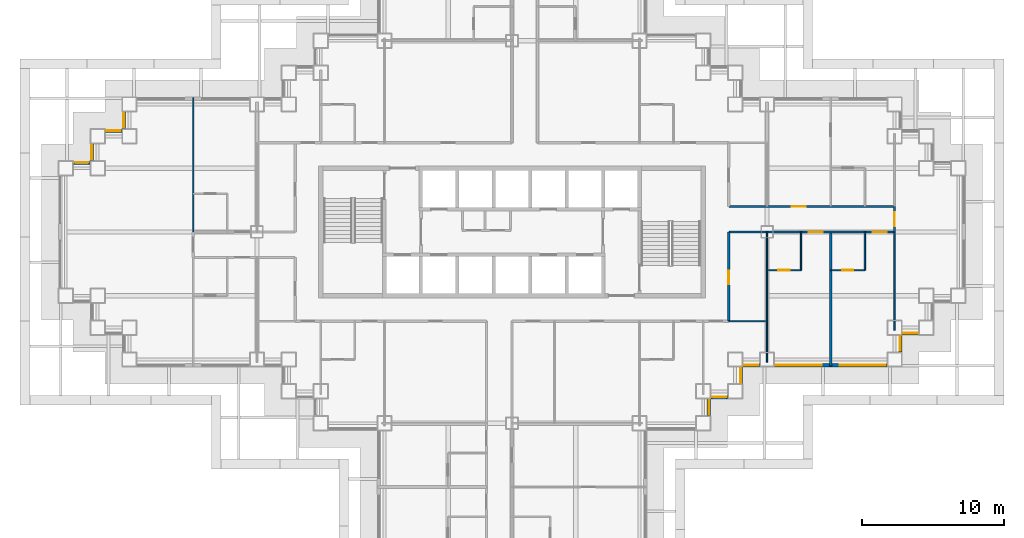
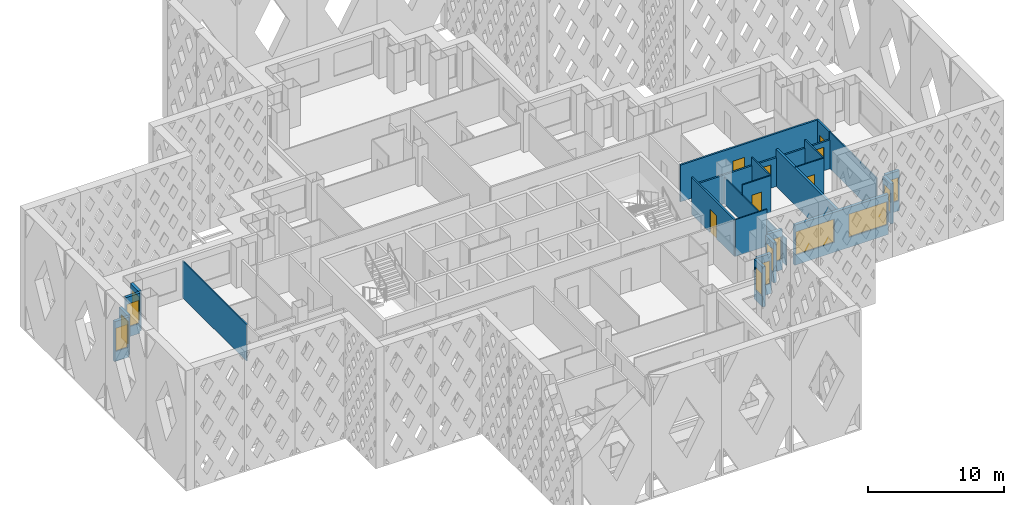
# One storey, part 6 of 19: 24 walls, 12 windows, 7 doors, 19 openings.
"""IFC4 building model written with IfcOpenShell, lengths in metres."""

from ifc_helpers import new_model, si_unit, direction, frame, frame_2d, origin, place, context, subcontext, project, spatial, rectangle, extrude, material, layer, layer_set, type_object, element, fill, save


model = new_model("IFC4")

# Units and contexts
model_context = context("Model", 3, precision=1e-05, world=origin(), true_north=direction((0.0, 1.0)))
body_context = subcontext(model_context, "Body", "Model", "MODEL_VIEW")
ifc_project = project(units=[si_unit("LENGTHUNIT", "METRE"), si_unit("AREAUNIT", "SQUARE_METRE"), si_unit("VOLUMEUNIT", "CUBIC_METRE"), si_unit("PLANEANGLEUNIT", "RADIAN"), si_unit("MASSUNIT", "GRAM", prefix="KILO")], contexts=[model_context])

# Site, building, storey
site_placement = place(None, origin())
site = spatial("IfcSite", under=ifc_project, at=site_placement, CompositionType="ELEMENT")
building_placement = place(site_placement, origin())
building = spatial("IfcBuilding", under=site, at=building_placement, Name="Caravel Reach Hotel and Residences", CompositionType="ELEMENT")
storey_placement = place(building_placement, frame((0.0, 0.0, 52.800048828125)))
storey = spatial("IfcBuildingStorey", under=building, at=storey_placement, Name="L11", CompositionType="ELEMENT", Elevation=52.800048828125)

# Wall, opening, door
ifc_material_1 = material(Name="Gypsum board on steel stud", Category="steel")
ifc_layer_1 = layer(ifc_material_1, 0.10009765625)
ifc_layer_set_1 = layer_set([ifc_layer_1], Name="Bathroom pod wall 100 mm")
wall_type_1 = type_object("IfcWallType", Name="Bathroom pod wall 100 mm", PredefinedType="PARTITIONING", material=ifc_layer_set_1)
wall_1_placement = place(storey_placement, frame((49.5, 24.300048828125, 0.0), z_axis=(0.0, 0.0, 1.0), x_axis=(1.0, 0.0, 0.0)))
wall_1 = element("IfcWall", 1, at=wall_1_placement, inside=storey, type_object=wall_type_1, Name="L11 wall w078", PredefinedType="PARTITIONING", context=body_context, shape_type="SweptSolid", body=[
    extrude(rectangle(XDim=2.39990234375, YDim=0.10009765625, at=frame_2d((1.199951171875, 0.0))), origin(), (0.0, 0.0, 1.0), 3.300048828125),
])
opening_1_placement = place(wall_1_placement, frame((0.800048828125, 0.0, 0.0)))
opening_1 = element("IfcOpeningElement", 2, at=opening_1_placement, cuts=wall_1, Name="Opening D11-021", PredefinedType="OPENING", context=body_context, shape_type="SweptSolid", body=[
    extrude(rectangle(XDim=0.800048828125, YDim=2.10009765625, at=frame_2d((0.39990234375, 1.050048828125))), frame((0.0, 0.06005859375, 0.0), z_axis=(0.0, -1.0, 0.0), x_axis=(1.0, 0.0, 0.0)), (0.0, 0.0, 1.0), 0.1201171875),
])
ifc_material_2 = material(Name="Timber and steel door leaf", Category="steel")
door_type_1 = type_object("IfcDoorType", Name="Bathroom door 800 x 2100", OperationType="SINGLE_SWING_LEFT", PredefinedType="DOOR", material=ifc_material_2)
door_1_placement = place(opening_1_placement, origin())
door_1 = element("IfcDoor", 3, at=door_1_placement, inside=storey, type_object=door_type_1, Name="door D11-021", OperationType="SINGLE_SWING_RIGHT", OverallHeight=2.10009765625, OverallWidth=0.800048828125, PredefinedType="DOOR", context=body_context, shape_type="SweptSolid", body=[
    extrude(rectangle(XDim=0.800048828125, YDim=2.10009765625, at=frame_2d((0.39990234375, 1.050048828125))), frame((0.0, 0.02490234375, 0.0), z_axis=(0.0, -1.0, 0.0), x_axis=(1.0, 0.0, 0.0)), (0.0, 0.0, 1.0), 0.050048828125),
])
fill(opening_1, door_1)

wall_2_placement = place(storey_placement, frame((54.0, 24.300048828125, 0.0), z_axis=(0.0, 0.0, 1.0), x_axis=(1.0, 0.0, 0.0)))
wall_2 = element("IfcWall", 4, at=wall_2_placement, inside=storey, type_object=wall_type_1, Name="L11 wall w079", PredefinedType="PARTITIONING", context=body_context, shape_type="SweptSolid", body=[
    extrude(rectangle(XDim=2.39990234375, YDim=0.10009765625, at=frame_2d((1.199951171875, 0.0))), origin(), (0.0, 0.0, 1.0), 3.300048828125),
])
opening_2_placement = place(wall_2_placement, frame((0.800048828125, 0.0, 0.0)))
opening_2 = element("IfcOpeningElement", 5, at=opening_2_placement, cuts=wall_2, Name="Opening D11-023", PredefinedType="OPENING", context=body_context, shape_type="SweptSolid", body=[
    extrude(rectangle(XDim=0.800048828125, YDim=2.10009765625, at=frame_2d((0.39990234375, 1.050048828125))), frame((0.0, 0.06005859375, 0.0), z_axis=(0.0, -1.0, 0.0), x_axis=(1.0, 0.0, 0.0)), (0.0, 0.0, 1.0), 0.1201171875),
])
door_2_placement = place(opening_2_placement, origin())
door_2 = element("IfcDoor", 6, at=door_2_placement, inside=storey, type_object=door_type_1, Name="door D11-023", OperationType="SINGLE_SWING_LEFT", OverallHeight=2.10009765625, OverallWidth=0.800048828125, PredefinedType="DOOR", context=body_context, shape_type="SweptSolid", body=[
    extrude(rectangle(XDim=0.800048828125, YDim=2.10009765625, at=frame_2d((0.39990234375, 1.050048828125))), frame((0.0, 0.02490234375, 0.0), z_axis=(0.0, -1.0, 0.0), x_axis=(1.0, 0.0, 0.0)), (0.0, 0.0, 1.0), 0.050048828125),
])
fill(opening_2, door_2)

# Walls
for number, where, z_axis, x_axis, name in (
    (7, (51.89990234375, 24.300048828125, 0.0), (0.0, 0.0, 1.0), (0.0, 1.0, 0.0), "L11 wall w099"),
    (8, (56.39990234375, 24.300048828125, 0.0), (0.0, 0.0, 1.0), (0.0, 1.0, 0.0), "L11 wall w100"),
):
    element("IfcWall", number, at=place(storey_placement, frame(where, z_axis=z_axis, x_axis=x_axis)), inside=storey, type_object=wall_type_1, Name=name, PredefinedType="PARTITIONING", context=body_context, shape_type="SweptSolid", body=[
        extrude(rectangle(XDim=2.699951171875, YDim=0.10009765625, at=frame_2d((1.35009765625, 0.0))), origin(), (0.0, 0.0, 1.0), 3.300048828125),
    ])

# Wall, openings, doors
ifc_material_3 = material(Name="Gypsum board on steel stud, fire-rated", Category="steel")
ifc_layer_2 = layer(ifc_material_3, 0.14990234375)
ifc_layer_set_2 = layer_set([ifc_layer_2], Name="Corridor wall 150 mm EI 60")
wall_type_2 = type_object("IfcWallType", Name="Corridor wall 150 mm EI 60", PredefinedType="PARTITIONING", material=ifc_layer_set_2)
wall_3_placement = place(storey_placement, frame((46.800048828125, 27.0, 0.0), z_axis=(0.0, 0.0, 1.0), x_axis=(1.0, 0.0, 0.0)))
wall_3 = element("IfcWall", 9, at=wall_3_placement, inside=storey, type_object=wall_type_2, Name="L11 wall w013", PredefinedType="PARTITIONING", context=body_context, shape_type="SweptSolid", body=[
    extrude(rectangle(XDim=11.699951171875, YDim=0.14990234375, at=frame_2d((5.85009765625, 0.0))), origin(), (0.0, 0.0, 1.0), 2.579833984375),
])
opening_3_placement = place(wall_3_placement, frame((5.64990234375, 0.0, 0.0)))
opening_3 = element("IfcOpeningElement", 10, at=opening_3_placement, cuts=wall_3, Name="Opening D11-020", PredefinedType="OPENING", context=body_context, shape_type="SweptSolid", body=[
    extrude(rectangle(XDim=1.0, YDim=2.10009765625, at=frame_2d((0.5, 1.050048828125))), frame((0.0, 0.0849609375, 0.0), z_axis=(0.0, -1.0, 0.0), x_axis=(1.0, 0.0, 0.0)), (0.0, 0.0, 1.0), 0.169921875),
])
opening_4_placement = place(wall_3_placement, frame((10.14990234375, 0.0, 0.0)))
opening_4 = element("IfcOpeningElement", 11, at=opening_4_placement, cuts=wall_3, Name="Opening D11-022", PredefinedType="OPENING", context=body_context, shape_type="SweptSolid", body=[
    extrude(rectangle(XDim=1.0, YDim=2.10009765625, at=frame_2d((0.5, 1.050048828125))), frame((0.0, 0.0849609375, 0.0), z_axis=(0.0, -1.0, 0.0), x_axis=(1.0, 0.0, 0.0)), (0.0, 0.0, 1.0), 0.169921875),
])
ifc_material_4 = material(Name="Steel fire door leaf", Category="steel")
door_type_2 = type_object("IfcDoorType", Name="Guest room door 1000 x 2100 EI 30", OperationType="SINGLE_SWING_LEFT", PredefinedType="DOOR", material=ifc_material_4)
door_3_placement = place(opening_3_placement, origin())
door_3 = element("IfcDoor", 12, at=door_3_placement, inside=storey, type_object=door_type_2, Name="door D11-020", OperationType="SINGLE_SWING_RIGHT", OverallHeight=2.10009765625, OverallWidth=1.0, PredefinedType="DOOR", context=body_context, shape_type="SweptSolid", body=[
    extrude(rectangle(XDim=1.0, YDim=2.10009765625, at=frame_2d((0.5, 1.050048828125))), frame((0.0, 0.02490234375, 0.0), z_axis=(0.0, -1.0, 0.0), x_axis=(1.0, 0.0, 0.0)), (0.0, 0.0, 1.0), 0.050048828125),
])
fill(opening_3, door_3)
door_4_placement = place(opening_4_placement, origin())
door_4 = element("IfcDoor", 13, at=door_4_placement, inside=storey, type_object=door_type_2, Name="door D11-022", OperationType="SINGLE_SWING_RIGHT", OverallHeight=2.10009765625, OverallWidth=1.0, PredefinedType="DOOR", context=body_context, shape_type="SweptSolid", body=[
    extrude(rectangle(XDim=1.0, YDim=2.10009765625, at=frame_2d((0.5, 1.050048828125))), frame((0.0, 0.02490234375, 0.0), z_axis=(0.0, -1.0, 0.0), x_axis=(1.0, 0.0, 0.0)), (0.0, 0.0, 1.0), 0.050048828125),
])
fill(opening_4, door_4)

# Wall, opening, door
wall_4_placement = place(storey_placement, frame((46.800048828125, 28.800048828125, 0.0), z_axis=(0.0, 0.0, 1.0), x_axis=(1.0, 0.0, 0.0)))
wall_4 = element("IfcWall", 14, at=wall_4_placement, inside=storey, type_object=wall_type_2, Name="L11 wall w015", PredefinedType="PARTITIONING", context=body_context, shape_type="SweptSolid", body=[
    extrude(rectangle(XDim=11.699951171875, YDim=0.14990234375, at=frame_2d((5.85009765625, 0.0))), origin(), (0.0, 0.0, 1.0), 3.300048828125),
])
opening_5_placement = place(wall_4_placement, frame((4.449951171875, 0.0, 0.0)))
opening_5 = element("IfcOpeningElement", 15, at=opening_5_placement, cuts=wall_4, Name="Opening D11-024", PredefinedType="OPENING", context=body_context, shape_type="SweptSolid", body=[
    extrude(rectangle(XDim=1.0, YDim=2.10009765625, at=frame_2d((0.5, 1.050048828125))), frame((0.0, 0.0849609375, 0.0), z_axis=(0.0, -1.0, 0.0), x_axis=(1.0, 0.0, 0.0)), (0.0, 0.0, 1.0), 0.169921875),
])
door_5_placement = place(opening_5_placement, origin())
door_5 = element("IfcDoor", 16, at=door_5_placement, inside=storey, type_object=door_type_2, Name="door D11-024", OperationType="SINGLE_SWING_LEFT", OverallHeight=2.10009765625, OverallWidth=1.0, PredefinedType="DOOR", context=body_context, shape_type="SweptSolid", body=[
    extrude(rectangle(XDim=1.0, YDim=2.10009765625, at=frame_2d((0.5, 1.050048828125))), frame((0.0, 0.02490234375, 0.0), z_axis=(0.0, -1.0, 0.0), x_axis=(1.0, 0.0, 0.0)), (0.0, 0.0, 1.0), 0.050048828125),
])
fill(opening_5, door_5)

wall_5_placement = place(storey_placement, frame((46.800048828125, 20.699951171875, 0.0), z_axis=(0.0, 0.0, 1.0), x_axis=(0.0, 1.0, 0.0)))
wall_5 = element("IfcWall", 17, at=wall_5_placement, inside=storey, type_object=wall_type_2, Name="L11 wall w037", PredefinedType="PARTITIONING", context=body_context, shape_type="SweptSolid", body=[
    extrude(rectangle(XDim=6.300048828125, YDim=0.14990234375, at=frame_2d((3.14990234375, 0.0))), origin(), (0.0, 0.0, 1.0), 3.300048828125),
])
opening_6_placement = place(wall_5_placement, frame((2.625, 0.0, 0.0)))
opening_6 = element("IfcOpeningElement", 18, at=opening_6_placement, cuts=wall_5, Name="Opening D11-060", PredefinedType="OPENING", context=body_context, shape_type="SweptSolid", body=[
    extrude(rectangle(XDim=0.949951171875, YDim=2.10009765625, at=frame_2d((0.47509765625, 1.050048828125))), frame((0.0, 0.0849609375, 0.0), z_axis=(0.0, -1.0, 0.0), x_axis=(1.0, 0.0, 0.0)), (0.0, 0.0, 1.0), 0.169921875),
])
ifc_material_5 = material(Name="Timber and steel door leaf", Category="steel")
door_type_3 = type_object("IfcDoorType", Name="Accessible WC door 950 x 2100", OperationType="SINGLE_SWING_LEFT", PredefinedType="DOOR", material=ifc_material_5)
door_6_placement = place(opening_6_placement, origin())
door_6 = element("IfcDoor", 19, at=door_6_placement, inside=storey, type_object=door_type_3, Name="door D11-060", OperationType="SINGLE_SWING_RIGHT", OverallHeight=2.10009765625, OverallWidth=0.949951171875, PredefinedType="DOOR", context=body_context, shape_type="SweptSolid", body=[
    extrude(rectangle(XDim=0.949951171875, YDim=2.10009765625, at=frame_2d((0.47509765625, 1.050048828125))), frame((0.0, 0.02490234375, 0.0), z_axis=(0.0, -1.0, 0.0), x_axis=(1.0, 0.0, 0.0)), (0.0, 0.0, 1.0), 0.050048828125),
])
fill(opening_6, door_6)

wall_6_placement = place(storey_placement, frame((58.5, 27.0, 0.0), z_axis=(0.0, 0.0, 1.0), x_axis=(0.0, 1.0, 0.0)))
wall_6 = element("IfcWall", 20, at=wall_6_placement, inside=storey, type_object=wall_type_2, Name="L11 wall w038", PredefinedType="PARTITIONING", context=body_context, shape_type="SweptSolid", body=[
    extrude(rectangle(XDim=1.800048828125, YDim=0.14990234375, at=frame_2d((0.89990234375, 0.0))), origin(), (0.0, 0.0, 1.0), 3.300048828125),
])
opening_7_placement = place(wall_6_placement, frame((0.39990234375, 0.0, 0.0)))
opening_7 = element("IfcOpeningElement", 21, at=opening_7_placement, cuts=wall_6, Name="Opening D11-039", PredefinedType="OPENING", context=body_context, shape_type="SweptSolid", body=[
    extrude(rectangle(XDim=1.0, YDim=2.10009765625, at=frame_2d((0.5, 1.050048828125))), frame((0.0, 0.0849609375, 0.0), z_axis=(0.0, -1.0, 0.0), x_axis=(1.0, 0.0, 0.0)), (0.0, 0.0, 1.0), 0.169921875),
])
door_7_placement = place(opening_7_placement, origin())
door_7 = element("IfcDoor", 22, at=door_7_placement, inside=storey, type_object=door_type_2, Name="door D11-039", OperationType="SINGLE_SWING_LEFT", OverallHeight=2.10009765625, OverallWidth=1.0, PredefinedType="DOOR", context=body_context, shape_type="SweptSolid", body=[
    extrude(rectangle(XDim=1.0, YDim=2.10009765625, at=frame_2d((0.5, 1.050048828125))), frame((0.0, 0.02490234375, 0.0), z_axis=(0.0, -1.0, 0.0), x_axis=(1.0, 0.0, 0.0)), (0.0, 0.0, 1.0), 0.050048828125),
])
fill(opening_7, door_7)

# Wall, opening, window
ifc_material_6 = material(Name="Insulated rainscreen wall, aluminium cladding", Category="aluminium")
ifc_layer_3 = layer(ifc_material_6, 0.25)
ifc_layer_set_3 = layer_set([ifc_layer_3], Name="EW1 Tower rainscreen wall")
wall_type_3 = type_object("IfcWallType", Name="EW1 Tower rainscreen wall", PredefinedType="SOLIDWALL", material=ifc_layer_set_3)
wall_7_placement = place(storey_placement, frame((45.39990234375, 14.02490234375, 0.0), z_axis=(0.0, 0.0, 1.0), x_axis=(0.0, 1.0, 0.0)))
wall_7 = element("IfcWall", 23, at=wall_7_placement, inside=storey, type_object=wall_type_3, Name="External wall L11 E12.1", PredefinedType="SOLIDWALL", context=body_context, shape_type="SweptSolid", body=[
    extrude(rectangle(XDim=1.2001953125, YDim=0.25, at=frame_2d((0.60009765625, 0.0))), origin(), (0.0, 0.0, 1.0), 3.599853515625),
])
opening_8_placement = place(wall_7_placement, frame((0.10009765625, 0.0, 0.89990234375)))
opening_8 = element("IfcOpeningElement", 24, at=opening_8_placement, cuts=wall_7, Name="Opening WN1", PredefinedType="OPENING", context=body_context, shape_type="SweptSolid", body=[
    extrude(rectangle(XDim=1.0, YDim=2.080078125, at=frame_2d((0.5, 1.0400390625))), frame((0.0, 0.135009765625, 0.0), z_axis=(0.0, -1.0, 0.0), x_axis=(1.0, 0.0, 0.0)), (0.0, 0.0, 1.0), 0.27001953125),
])
ifc_material_7 = material(Name="Dark low-e glazing in black aluminium frame", Category="aluminium")
window_type_1 = type_object("IfcWindowType", Name="Hotel suite corner window 1000 x 2080", PartitioningType="SINGLE_PANEL", PredefinedType="WINDOW", material=ifc_material_7)
window_1_placement = place(opening_8_placement, origin())
window_1 = element("IfcWindow", 25, at=window_1_placement, inside=storey, type_object=window_type_1, Name="Window L11 E12.1.1", OverallHeight=2.080078125, OverallWidth=1.0, PartitioningType="SINGLE_PANEL", PredefinedType="WINDOW", context=body_context, shape_type="SweptSolid", body=[
    extrude(rectangle(XDim=1.0, YDim=2.080078125, at=frame_2d((0.5, 1.0400390625))), frame((0.0, 0.030029296875, 0.0), z_axis=(0.0, -1.0, 0.0), x_axis=(1.0, 0.0, 0.0)), (0.0, 0.0, 1.0), 0.06005859375),
])
fill(opening_8, window_1)

wall_8_placement = place(storey_placement, frame((45.52490234375, 15.35009765625, 0.0), z_axis=(0.0, 0.0, 1.0), x_axis=(1.0, 0.0, 0.0)))
wall_8 = element("IfcWall", 26, at=wall_8_placement, inside=storey, type_object=wall_type_3, Name="External wall L11 S13.1", PredefinedType="SOLIDWALL", context=body_context, shape_type="SweptSolid", body=[
    extrude(rectangle(XDim=1.2001953125, YDim=0.25, at=frame_2d((0.60009765625, 0.0))), origin(), (0.0, 0.0, 1.0), 3.599853515625),
])
opening_9_placement = place(wall_8_placement, frame((0.10009765625, 0.0, 0.89990234375)))
opening_9 = element("IfcOpeningElement", 27, at=opening_9_placement, cuts=wall_8, Name="Opening WN1", PredefinedType="OPENING", context=body_context, shape_type="SweptSolid", body=[
    extrude(rectangle(XDim=1.0, YDim=2.080078125, at=frame_2d((0.5, 1.0400390625))), frame((0.0, 0.135009765625, 0.0), z_axis=(0.0, -1.0, 0.0), x_axis=(1.0, 0.0, 0.0)), (0.0, 0.0, 1.0), 0.27001953125),
])
window_2_placement = place(opening_9_placement, origin())
window_2 = element("IfcWindow", 28, at=window_2_placement, inside=storey, type_object=window_type_1, Name="Window L11 S13.1.1", OverallHeight=2.080078125, OverallWidth=1.0, PartitioningType="SINGLE_PANEL", PredefinedType="WINDOW", context=body_context, shape_type="SweptSolid", body=[
    extrude(rectangle(XDim=1.0, YDim=2.080078125, at=frame_2d((0.5, 1.0400390625))), frame((0.0, 0.030029296875, 0.0), z_axis=(0.0, -1.0, 0.0), x_axis=(1.0, 0.0, 0.0)), (0.0, 0.0, 1.0), 0.06005859375),
])
fill(opening_9, window_2)

wall_9_placement = place(storey_placement, frame((47.64990234375, 16.27490234375, 0.0), z_axis=(0.0, 0.0, 1.0), x_axis=(0.0, 1.0, 0.0)))
wall_9 = element("IfcWall", 29, at=wall_9_placement, inside=storey, type_object=wall_type_3, Name="External wall L11 E14.1", PredefinedType="SOLIDWALL", context=body_context, shape_type="SweptSolid", body=[
    extrude(rectangle(XDim=1.2001953125, YDim=0.25, at=frame_2d((0.60009765625, 0.0))), origin(), (0.0, 0.0, 1.0), 3.599853515625),
])
opening_10_placement = place(wall_9_placement, frame((0.10009765625, 0.0, 0.89990234375)))
opening_10 = element("IfcOpeningElement", 30, at=opening_10_placement, cuts=wall_9, Name="Opening WN1", PredefinedType="OPENING", context=body_context, shape_type="SweptSolid", body=[
    extrude(rectangle(XDim=1.0, YDim=2.080078125, at=frame_2d((0.5, 1.0400390625))), frame((0.0, 0.135009765625, 0.0), z_axis=(0.0, -1.0, 0.0), x_axis=(1.0, 0.0, 0.0)), (0.0, 0.0, 1.0), 0.27001953125),
])
window_3_placement = place(opening_10_placement, origin())
window_3 = element("IfcWindow", 31, at=window_3_placement, inside=storey, type_object=window_type_1, Name="Window L11 E14.1.1", OverallHeight=2.080078125, OverallWidth=1.0, PartitioningType="SINGLE_PANEL", PredefinedType="WINDOW", context=body_context, shape_type="SweptSolid", body=[
    extrude(rectangle(XDim=1.0, YDim=2.080078125, at=frame_2d((0.5, 1.0400390625))), frame((0.0, 0.030029296875, 0.0), z_axis=(0.0, -1.0, 0.0), x_axis=(1.0, 0.0, 0.0)), (0.0, 0.0, 1.0), 0.06005859375),
])
fill(opening_10, window_3)

wall_10_placement = place(storey_placement, frame((47.77490234375, 17.60009765625, 0.0), z_axis=(0.0, 0.0, 1.0), x_axis=(1.0, 0.0, 0.0)))
wall_10 = element("IfcWall", 32, at=wall_10_placement, inside=storey, type_object=wall_type_3, Name="External wall L11 S15.1", PredefinedType="SOLIDWALL", context=body_context, shape_type="SweptSolid", body=[
    extrude(rectangle(XDim=1.2001953125, YDim=0.25, at=frame_2d((0.60009765625, 0.0))), origin(), (0.0, 0.0, 1.0), 3.599853515625),
])
opening_11_placement = place(wall_10_placement, frame((0.10009765625, 0.0, 0.89990234375)))
opening_11 = element("IfcOpeningElement", 33, at=opening_11_placement, cuts=wall_10, Name="Opening WN1", PredefinedType="OPENING", context=body_context, shape_type="SweptSolid", body=[
    extrude(rectangle(XDim=1.0, YDim=2.080078125, at=frame_2d((0.5, 1.0400390625))), frame((0.0, 0.135009765625, 0.0), z_axis=(0.0, -1.0, 0.0), x_axis=(1.0, 0.0, 0.0)), (0.0, 0.0, 1.0), 0.27001953125),
])
window_4_placement = place(opening_11_placement, origin())
window_4 = element("IfcWindow", 34, at=window_4_placement, inside=storey, type_object=window_type_1, Name="Window L11 S15.1.1", OverallHeight=2.080078125, OverallWidth=1.0, PartitioningType="SINGLE_PANEL", PredefinedType="WINDOW", context=body_context, shape_type="SweptSolid", body=[
    extrude(rectangle(XDim=1.0, YDim=2.080078125, at=frame_2d((0.5, 1.0400390625))), frame((0.0, 0.030029296875, 0.0), z_axis=(0.0, -1.0, 0.0), x_axis=(1.0, 0.0, 0.0)), (0.0, 0.0, 1.0), 0.06005859375),
])
fill(opening_11, window_4)

# Wall, openings, windows
wall_11_placement = place(storey_placement, frame((50.02490234375, 17.60009765625, 0.0), z_axis=(0.0, 0.0, 1.0), x_axis=(1.0, 0.0, 0.0)))
wall_11 = element("IfcWall", 35, at=wall_11_placement, inside=storey, type_object=wall_type_3, Name="External wall L11 S15.2", PredefinedType="SOLIDWALL", context=body_context, shape_type="SweptSolid", body=[
    extrude(rectangle(XDim=7.9501953125, YDim=0.25, at=frame_2d((3.97509765625, 0.0))), origin(), (0.0, 0.0, 1.0), 3.599853515625),
])
opening_12_placement = place(wall_11_placement, frame((0.10009765625, 0.0, 0.89990234375)))
opening_12 = element("IfcOpeningElement", 36, at=opening_12_placement, cuts=wall_11, Name="Opening WN2", PredefinedType="OPENING", context=body_context, shape_type="SweptSolid", body=[
    extrude(rectangle(XDim=3.25, YDim=2.080078125, at=frame_2d((1.625, 1.0400390625))), frame((0.0, 0.135009765625, 0.0), z_axis=(0.0, -1.0, 0.0), x_axis=(1.0, 0.0, 0.0)), (0.0, 0.0, 1.0), 0.27001953125),
])
opening_13_placement = place(wall_11_placement, frame((4.60009765625, 0.0, 0.89990234375)))
opening_13 = element("IfcOpeningElement", 37, at=opening_13_placement, cuts=wall_11, Name="Opening WN2", PredefinedType="OPENING", context=body_context, shape_type="SweptSolid", body=[
    extrude(rectangle(XDim=3.25, YDim=2.080078125, at=frame_2d((1.625, 1.0400390625))), frame((0.0, 0.135009765625, 0.0), z_axis=(0.0, -1.0, 0.0), x_axis=(1.0, 0.0, 0.0)), (0.0, 0.0, 1.0), 0.27001953125),
])
ifc_material_8 = material(Name="Dark low-e glazing in black aluminium frame", Category="aluminium")
window_type_2 = type_object("IfcWindowType", Name="Hotel guest room window 3250 x 2080", PartitioningType="SINGLE_PANEL", PredefinedType="WINDOW", material=ifc_material_8)
window_5_placement = place(opening_12_placement, origin())
window_5 = element("IfcWindow", 38, at=window_5_placement, inside=storey, type_object=window_type_2, Name="Window L11 S15.2.1", OverallHeight=2.080078125, OverallWidth=3.25, PartitioningType="SINGLE_PANEL", PredefinedType="WINDOW", context=body_context, shape_type="SweptSolid", body=[
    extrude(rectangle(XDim=3.25, YDim=2.080078125, at=frame_2d((1.625, 1.0400390625))), frame((0.0, 0.030029296875, 0.0), z_axis=(0.0, -1.0, 0.0), x_axis=(1.0, 0.0, 0.0)), (0.0, 0.0, 1.0), 0.06005859375),
])
fill(opening_12, window_5)
window_6_placement = place(opening_13_placement, origin())
window_6 = element("IfcWindow", 39, at=window_6_placement, inside=storey, type_object=window_type_2, Name="Window L11 S15.2.2", OverallHeight=2.080078125, OverallWidth=3.25, PartitioningType="SINGLE_PANEL", PredefinedType="WINDOW", context=body_context, shape_type="SweptSolid", body=[
    extrude(rectangle(XDim=3.25, YDim=2.080078125, at=frame_2d((1.625, 1.0400390625))), frame((0.0, 0.030029296875, 0.0), z_axis=(0.0, -1.0, 0.0), x_axis=(1.0, 0.0, 0.0)), (0.0, 0.0, 1.0), 0.06005859375),
])
fill(opening_13, window_6)

# Wall, opening, window
wall_12_placement = place(storey_placement, frame((58.89990234375, 18.52490234375, 0.0), z_axis=(0.0, 0.0, 1.0), x_axis=(0.0, 1.0, 0.0)))
wall_12 = element("IfcWall", 40, at=wall_12_placement, inside=storey, type_object=wall_type_3, Name="External wall L11 E16.1", PredefinedType="SOLIDWALL", context=body_context, shape_type="SweptSolid", body=[
    extrude(rectangle(XDim=1.2001953125, YDim=0.25, at=frame_2d((0.60009765625, 0.0))), origin(), (0.0, 0.0, 1.0), 3.599853515625),
])
opening_14_placement = place(wall_12_placement, frame((0.10009765625, 0.0, 0.89990234375)))
opening_14 = element("IfcOpeningElement", 41, at=opening_14_placement, cuts=wall_12, Name="Opening WN1", PredefinedType="OPENING", context=body_context, shape_type="SweptSolid", body=[
    extrude(rectangle(XDim=1.0, YDim=2.080078125, at=frame_2d((0.5, 1.0400390625))), frame((0.0, 0.135009765625, 0.0), z_axis=(0.0, -1.0, 0.0), x_axis=(1.0, 0.0, 0.0)), (0.0, 0.0, 1.0), 0.27001953125),
])
window_7_placement = place(opening_14_placement, origin())
window_7 = element("IfcWindow", 42, at=window_7_placement, inside=storey, type_object=window_type_1, Name="Window L11 E16.1.1", OverallHeight=2.080078125, OverallWidth=1.0, PartitioningType="SINGLE_PANEL", PredefinedType="WINDOW", context=body_context, shape_type="SweptSolid", body=[
    extrude(rectangle(XDim=1.0, YDim=2.080078125, at=frame_2d((0.5, 1.0400390625))), frame((0.0, 0.030029296875, 0.0), z_axis=(0.0, -1.0, 0.0), x_axis=(1.0, 0.0, 0.0)), (0.0, 0.0, 1.0), 0.06005859375),
])
fill(opening_14, window_7)

wall_13_placement = place(storey_placement, frame((59.02490234375, 19.85009765625, 0.0), z_axis=(0.0, 0.0, 1.0), x_axis=(1.0, 0.0, 0.0)))
wall_13 = element("IfcWall", 43, at=wall_13_placement, inside=storey, type_object=wall_type_3, Name="External wall L11 S17.1", PredefinedType="SOLIDWALL", context=body_context, shape_type="SweptSolid", body=[
    extrude(rectangle(XDim=1.2001953125, YDim=0.25, at=frame_2d((0.60009765625, 0.0))), origin(), (0.0, 0.0, 1.0), 3.599853515625),
])
opening_15_placement = place(wall_13_placement, frame((0.10009765625, 0.0, 0.89990234375)))
opening_15 = element("IfcOpeningElement", 44, at=opening_15_placement, cuts=wall_13, Name="Opening WN1", PredefinedType="OPENING", context=body_context, shape_type="SweptSolid", body=[
    extrude(rectangle(XDim=1.0, YDim=2.080078125, at=frame_2d((0.5, 1.0400390625))), frame((0.0, 0.135009765625, 0.0), z_axis=(0.0, -1.0, 0.0), x_axis=(1.0, 0.0, 0.0)), (0.0, 0.0, 1.0), 0.27001953125),
])
window_8_placement = place(opening_15_placement, origin())
window_8 = element("IfcWindow", 45, at=window_8_placement, inside=storey, type_object=window_type_1, Name="Window L11 S17.1.1", OverallHeight=2.080078125, OverallWidth=1.0, PartitioningType="SINGLE_PANEL", PredefinedType="WINDOW", context=body_context, shape_type="SweptSolid", body=[
    extrude(rectangle(XDim=1.0, YDim=2.080078125, at=frame_2d((0.5, 1.0400390625))), frame((0.0, 0.030029296875, 0.0), z_axis=(0.0, -1.0, 0.0), x_axis=(1.0, 0.0, 0.0)), (0.0, 0.0, 1.0), 0.06005859375),
])
fill(opening_15, window_8)

wall_14_placement = place(storey_placement, frame((4.10009765625, 35.47509765625, 0.0), z_axis=(0.0, 0.0, 1.0), x_axis=(0.0, -1.0, 0.0)))
wall_14 = element("IfcWall", 46, at=wall_14_placement, inside=storey, type_object=wall_type_3, Name="External wall L11 W46.1", PredefinedType="SOLIDWALL", context=body_context, shape_type="SweptSolid", body=[
    extrude(rectangle(XDim=1.2001953125, YDim=0.25, at=frame_2d((0.60009765625, 0.0))), origin(), (0.0, 0.0, 1.0), 3.599853515625),
])
opening_16_placement = place(wall_14_placement, frame((0.10009765625, 0.0, 0.89990234375)))
opening_16 = element("IfcOpeningElement", 47, at=opening_16_placement, cuts=wall_14, Name="Opening WN1", PredefinedType="OPENING", context=body_context, shape_type="SweptSolid", body=[
    extrude(rectangle(XDim=1.0, YDim=2.080078125, at=frame_2d((0.5, 1.0400390625))), frame((0.0, 0.135009765625, 0.0), z_axis=(0.0, -1.0, 0.0), x_axis=(1.0, 0.0, 0.0)), (0.0, 0.0, 1.0), 0.27001953125),
])
window_9_placement = place(opening_16_placement, origin())
window_9 = element("IfcWindow", 48, at=window_9_placement, inside=storey, type_object=window_type_1, Name="Window L11 W46.1.1", OverallHeight=2.080078125, OverallWidth=1.0, PartitioningType="SINGLE_PANEL", PredefinedType="WINDOW", context=body_context, shape_type="SweptSolid", body=[
    extrude(rectangle(XDim=1.0, YDim=2.080078125, at=frame_2d((0.5, 1.0400390625))), frame((0.0, 0.030029296875, 0.0), z_axis=(0.0, -1.0, 0.0), x_axis=(1.0, 0.0, 0.0)), (0.0, 0.0, 1.0), 0.06005859375),
])
fill(opening_16, window_9)

wall_15_placement = place(storey_placement, frame((3.97509765625, 34.14990234375, 0.0), z_axis=(0.0, 0.0, 1.0), x_axis=(-1.0, 0.0, 0.0)))
wall_15 = element("IfcWall", 49, at=wall_15_placement, inside=storey, type_object=wall_type_3, Name="External wall L11 N47.1", PredefinedType="SOLIDWALL", context=body_context, shape_type="SweptSolid", body=[
    extrude(rectangle(XDim=1.2001953125, YDim=0.25, at=frame_2d((0.60009765625, 0.0))), origin(), (0.0, 0.0, 1.0), 3.599853515625),
])
opening_17_placement = place(wall_15_placement, frame((0.10009765625, 0.0, 0.89990234375)))
opening_17 = element("IfcOpeningElement", 50, at=opening_17_placement, cuts=wall_15, Name="Opening WN1", PredefinedType="OPENING", context=body_context, shape_type="SweptSolid", body=[
    extrude(rectangle(XDim=1.0, YDim=2.080078125, at=frame_2d((0.5, 1.0400390625))), frame((0.0, 0.135009765625, 0.0), z_axis=(0.0, -1.0, 0.0), x_axis=(1.0, 0.0, 0.0)), (0.0, 0.0, 1.0), 0.27001953125),
])
window_10_placement = place(opening_17_placement, origin())
window_10 = element("IfcWindow", 51, at=window_10_placement, inside=storey, type_object=window_type_1, Name="Window L11 N47.1.1", OverallHeight=2.080078125, OverallWidth=1.0, PartitioningType="SINGLE_PANEL", PredefinedType="WINDOW", context=body_context, shape_type="SweptSolid", body=[
    extrude(rectangle(XDim=1.0, YDim=2.080078125, at=frame_2d((0.5, 1.0400390625))), frame((0.0, 0.030029296875, 0.0), z_axis=(0.0, -1.0, 0.0), x_axis=(1.0, 0.0, 0.0)), (0.0, 0.0, 1.0), 0.06005859375),
])
fill(opening_17, window_10)

wall_16_placement = place(storey_placement, frame((1.85009765625, 33.22509765625, 0.0), z_axis=(0.0, 0.0, 1.0), x_axis=(0.0, -1.0, 0.0)))
wall_16 = element("IfcWall", 52, at=wall_16_placement, inside=storey, type_object=wall_type_3, Name="External wall L11 W48.1", PredefinedType="SOLIDWALL", context=body_context, shape_type="SweptSolid", body=[
    extrude(rectangle(XDim=1.2001953125, YDim=0.25, at=frame_2d((0.60009765625, 0.0))), origin(), (0.0, 0.0, 1.0), 3.599853515625),
])
opening_18_placement = place(wall_16_placement, frame((0.10009765625, 0.0, 0.89990234375)))
opening_18 = element("IfcOpeningElement", 53, at=opening_18_placement, cuts=wall_16, Name="Opening WN1", PredefinedType="OPENING", context=body_context, shape_type="SweptSolid", body=[
    extrude(rectangle(XDim=1.0, YDim=2.080078125, at=frame_2d((0.5, 1.0400390625))), frame((0.0, 0.135009765625, 0.0), z_axis=(0.0, -1.0, 0.0), x_axis=(1.0, 0.0, 0.0)), (0.0, 0.0, 1.0), 0.27001953125),
])
window_11_placement = place(opening_18_placement, origin())
window_11 = element("IfcWindow", 54, at=window_11_placement, inside=storey, type_object=window_type_1, Name="Window L11 W48.1.1", OverallHeight=2.080078125, OverallWidth=1.0, PartitioningType="SINGLE_PANEL", PredefinedType="WINDOW", context=body_context, shape_type="SweptSolid", body=[
    extrude(rectangle(XDim=1.0, YDim=2.080078125, at=frame_2d((0.5, 1.0400390625))), frame((0.0, 0.030029296875, 0.0), z_axis=(0.0, -1.0, 0.0), x_axis=(1.0, 0.0, 0.0)), (0.0, 0.0, 1.0), 0.06005859375),
])
fill(opening_18, window_11)

wall_17_placement = place(storey_placement, frame((1.72509765625, 31.89990234375, 0.0), z_axis=(0.0, 0.0, 1.0), x_axis=(-1.0, 0.0, 0.0)))
wall_17 = element("IfcWall", 55, at=wall_17_placement, inside=storey, type_object=wall_type_3, Name="External wall L11 N49.1", PredefinedType="SOLIDWALL", context=body_context, shape_type="SweptSolid", body=[
    extrude(rectangle(XDim=1.2001953125, YDim=0.25, at=frame_2d((0.60009765625, 0.0))), origin(), (0.0, 0.0, 1.0), 3.599853515625),
])
opening_19_placement = place(wall_17_placement, frame((0.10009765625, 0.0, 0.89990234375)))
opening_19 = element("IfcOpeningElement", 56, at=opening_19_placement, cuts=wall_17, Name="Opening WN1", PredefinedType="OPENING", context=body_context, shape_type="SweptSolid", body=[
    extrude(rectangle(XDim=1.0, YDim=2.080078125, at=frame_2d((0.5, 1.0400390625))), frame((0.0, 0.135009765625, 0.0), z_axis=(0.0, -1.0, 0.0), x_axis=(1.0, 0.0, 0.0)), (0.0, 0.0, 1.0), 0.27001953125),
])
window_12_placement = place(opening_19_placement, origin())
window_12 = element("IfcWindow", 57, at=window_12_placement, inside=storey, type_object=window_type_1, Name="Window L11 N49.1.1", OverallHeight=2.080078125, OverallWidth=1.0, PartitioningType="SINGLE_PANEL", PredefinedType="WINDOW", context=body_context, shape_type="SweptSolid", body=[
    extrude(rectangle(XDim=1.0, YDim=2.080078125, at=frame_2d((0.5, 1.0400390625))), frame((0.0, 0.030029296875, 0.0), z_axis=(0.0, -1.0, 0.0), x_axis=(1.0, 0.0, 0.0)), (0.0, 0.0, 1.0), 0.06005859375),
])
fill(opening_19, window_12)

# Walls
ifc_material_9 = material(Name="Gypsum board on steel stud", Category="steel")
ifc_layer_4 = layer(ifc_material_9, 0.10009765625)
ifc_layer_set_4 = layer_set([ifc_layer_4], Name="Partition 100 mm")
wall_type_4 = type_object("IfcWallType", Name="Partition 100 mm", PredefinedType="PARTITIONING", material=ifc_layer_set_4)
wall_18_placement = place(storey_placement, frame((46.800048828125, 20.699951171875, 0.0), z_axis=(0.0, 0.0, 1.0), x_axis=(1.0, 0.0, 0.0)))
element("IfcWall", 58, at=wall_18_placement, inside=storey, type_object=wall_type_4, Name="L11 wall w044", PredefinedType="PARTITIONING", context=body_context, shape_type="SweptSolid", body=[
    extrude(rectangle(XDim=2.699951171875, YDim=0.10009765625, at=frame_2d((1.35009765625, 0.0))), origin(), (0.0, 0.0, 1.0), 3.300048828125),
])
wall_19_placement = place(storey_placement, frame((49.5, 17.81005859375, 0.0), z_axis=(0.0, 0.0, 1.0), x_axis=(0.0, 1.0, 0.0)))
element("IfcWall", 59, at=wall_19_placement, inside=storey, type_object=wall_type_4, Name="L11 wall w064", PredefinedType="PARTITIONING", context=body_context, shape_type="SweptSolid", body=[
    extrude(rectangle(XDim=9.18994140625, YDim=0.10009765625, at=frame_2d((4.594970703125, 0.0))), origin(), (0.0, 0.0, 1.0), 2.3798828125),
])
wall_20_placement = place(storey_placement, frame((58.5, 20.06005859375, 0.0), z_axis=(0.0, 0.0, 1.0), x_axis=(0.0, 1.0, 0.0)))
element("IfcWall", 60, at=wall_20_placement, inside=storey, type_object=wall_type_4, Name="L11 wall w067", PredefinedType="PARTITIONING", context=body_context, shape_type="SweptSolid", body=[
    extrude(rectangle(XDim=6.93994140625, YDim=0.10009765625, at=frame_2d((3.469970703125, 0.0))), origin(), (0.0, 0.0, 1.0), 3.300048828125),
])
wall_21_placement = place(storey_placement, frame((9.0, 27.0, 0.0), z_axis=(0.0, 0.0, 1.0), x_axis=(0.0, 1.0, 0.0)))
element("IfcWall", 61, at=wall_21_placement, inside=storey, type_object=wall_type_4, Name="L11 wall w069", PredefinedType="PARTITIONING", context=body_context, shape_type="SweptSolid", body=[
    extrude(rectangle(XDim=9.465087890625, YDim=0.10009765625, at=frame_2d((4.732421875, 0.0))), origin(), (0.0, 0.0, 1.0), 3.300048828125),
])
ifc_material_10 = material(Name="Autoclaved aerated block wall")
ifc_layer_5 = layer(ifc_material_10, 0.199951171875)
ifc_layer_set_5 = layer_set([ifc_layer_5], Name="Party wall 200 mm EI 60")
wall_type_5 = type_object("IfcWallType", Name="Party wall 200 mm EI 60", PredefinedType="PARTITIONING", material=ifc_layer_set_5)
wall_22_placement = place(storey_placement, frame((54.0, 17.534912109375, 0.0), z_axis=(0.0, 0.0, 1.0), x_axis=(0.0, 1.0, 0.0)))
element("IfcWall", 62, at=wall_22_placement, inside=storey, type_object=wall_type_5, Name="L11 wall w073", PredefinedType="PARTITIONING", context=body_context, shape_type="SweptSolid", body=[
    extrude(rectangle(XDim=9.465087890625, YDim=0.199951171875, at=frame_2d((4.732421875, 0.0))), origin(), (0.0, 0.0, 1.0), 3.300048828125),
])

save(model, "model.ifc")
